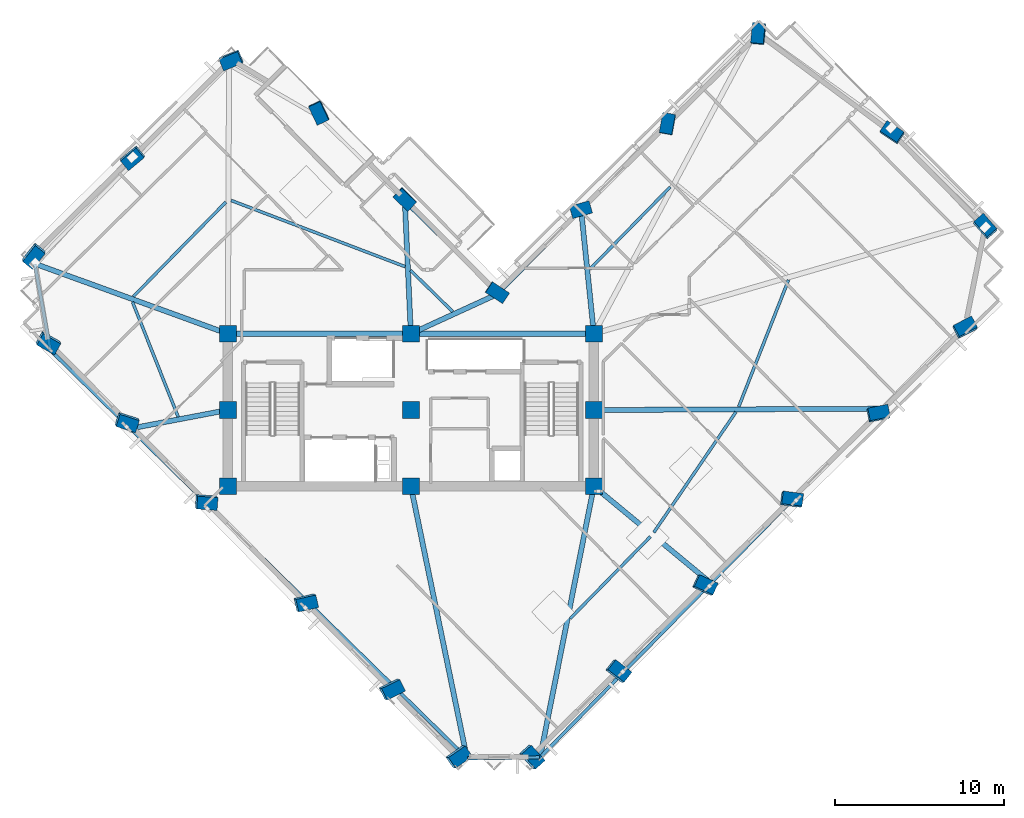
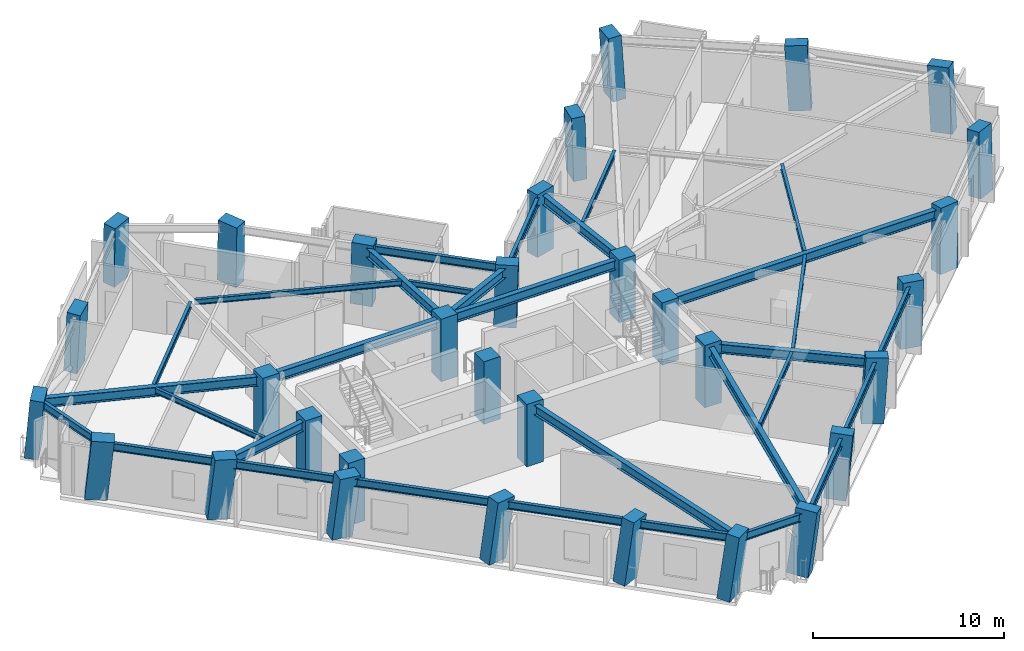
# One storey, part 1 of 11: 32 columns, 31 beams.
"""IFC4 building model written with IfcOpenShell, lengths in metres."""

import ifcopenshell
import ifcopenshell.guid

model = None  # the IFC model being written
_history = None  # IfcOwnerHistory: only IFC2X3 demands one
_inside = {}  # id of a spatial element -> (the spatial element, [elements in it])
_under = {}  # id of a project, library or spatial element -> (it, [spatial elements below it])
_declared = {}  # id of a project -> (the project, [libraries it declares])
_typed = {}  # id of a type object -> (the type object, [elements of that type])
_made_of = {}  # id of a material, layer set ... -> (it, [elements and type objects made of it])


def new_model(schema):
    """Start an empty IFC model of exactly this schema.

    Asked for "IFC4X3", IfcOpenShell would pick the latest addendum, in which some entities
    have other attributes; the version numbers below select the first issue.
    IFC2X3 requires an IfcOwnerHistory on every rooted entity: one is made here for all.
    """
    global model, _history
    if schema == "IFC4X3":
        model = ifcopenshell.file(schema_version=(4, 3, 0, 0))
    else:
        model = ifcopenshell.file(schema=schema)
    _inside.clear()
    _under.clear()
    _declared.clear()
    _typed.clear()
    _made_of.clear()
    _history = None
    if model.schema == "IFC2X3":
        org = make("IfcOrganization", Name="unknown")
        user = make(
            "IfcPersonAndOrganization",
            ThePerson=make("IfcPerson", FamilyName="unknown"),
            TheOrganization=org,
        )
        app = make(
            "IfcApplication",
            ApplicationDeveloper=org,
            Version="unknown",
            ApplicationFullName="unknown",
            ApplicationIdentifier="unknown",
        )
        _history = make(
            "IfcOwnerHistory",
            OwningUser=user,
            OwningApplication=app,
            ChangeAction="ADDED",
            CreationDate=0,
        )
    return model


def make(cls, **values):
    """One entity of the class cls with the attributes given. An attribute that is None is left unset."""
    return model.create_entity(
        cls, **{name: value for name, value in values.items() if value is not None}
    )


def rooted(cls, **values):
    """An entity with a GlobalId (a new one), such as an element, a storey or a relation."""
    return make(cls, GlobalId=ifcopenshell.guid.new(), OwnerHistory=_history, **values)


def si_unit(unit_type, name, prefix=None):
    """IfcSIUnit, for example si_unit("LENGTHUNIT", "METRE", prefix="MILLI")."""
    return make("IfcSIUnit", UnitType=unit_type, Prefix=prefix, Name=name)


def assignment(units):
    """IfcUnitAssignment: the units of a project."""
    return None if units is None else make("IfcUnitAssignment", Units=units)


def point(xyz):
    """IfcCartesianPoint."""
    return None if xyz is None else make("IfcCartesianPoint", Coordinates=xyz)


def direction(xyz):
    """IfcDirection."""
    return None if xyz is None else make("IfcDirection", DirectionRatios=xyz)


def frame(location, z_axis=None, x_axis=None):
    """IfcAxis2Placement3D, a coordinate frame: its origin and axes. An axis left out is left unset."""
    return make(
        "IfcAxis2Placement3D",
        Location=point(location),
        Axis=direction(z_axis),
        RefDirection=direction(x_axis),
    )


def frame_2d(location, x_axis=None):
    """IfcAxis2Placement2D, a coordinate frame in the plane: its origin and x axis."""
    return make(
        "IfcAxis2Placement2D", Location=point(location), RefDirection=direction(x_axis)
    )


def origin():
    """The frame at (0, 0, 0) with its axes left unset."""
    return frame((0.0, 0.0, 0.0))


def origin_2d():
    """The frame at (0, 0) in the plane with its x axis left unset."""
    return frame_2d((0.0, 0.0))


def place(relative_to, where):
    """IfcLocalPlacement: puts the frame where relative to a parent placement (None: the world)."""
    return make(
        "IfcLocalPlacement", PlacementRelTo=relative_to, RelativePlacement=where
    )


def context(
    kind, dimensions, precision=None, world=None, true_north=None, identifier=None
):
    """IfcGeometricRepresentationContext, for example the 3D "Model" context."""
    return make(
        "IfcGeometricRepresentationContext",
        ContextIdentifier=identifier,
        ContextType=kind,
        CoordinateSpaceDimension=dimensions,
        Precision=precision,
        WorldCoordinateSystem=world,
        TrueNorth=true_north,
    )


def subcontext(parent, identifier, kind, view, scale=None):
    """IfcGeometricRepresentationSubContext, for example "Body" below "Model"."""
    return make(
        "IfcGeometricRepresentationSubContext",
        ContextIdentifier=identifier,
        ContextType=kind,
        ParentContext=parent,
        TargetScale=scale,
        TargetView=view,
    )


def project(units=None, contexts=None):
    """IfcProject with its units and contexts."""
    return rooted(
        "IfcProject",
        Name="project",
        RepresentationContexts=contexts,
        UnitsInContext=assignment(units),
    )


def spatial(cls, under=None, at=None, **own):
    """A site, building, storey or space (cls), placed at a placement, below another one or the project."""
    s = rooted(cls, ObjectPlacement=at, **own)
    if under is not None:
        _under.setdefault(under.id(), (under, []))[1].append(s)
    return s


def profile(cls, at=None, kind="AREA", **sizes):
    """A parametric profile (cls). Its sizes go by their IFC names, for example OverallWidth=200.0."""
    return make(cls, ProfileType=kind, Position=at, **sizes)


def rectangle(**sizes):
    """IfcRectangleProfileDef."""
    return profile("IfcRectangleProfileDef", **sizes)


def i_section(**sizes):
    """IfcIShapeProfileDef."""
    return profile("IfcIShapeProfileDef", **sizes)


def extrude(swept, where, along, depth):
    """IfcExtrudedAreaSolid: the profile swept, set in the frame where, extruded along a direction by depth."""
    return make(
        "IfcExtrudedAreaSolid",
        SweptArea=swept,
        Position=where,
        ExtrudedDirection=direction(along),
        Depth=depth,
    )


def shape(context_of_items, identifier, shape_type, items):
    """IfcShapeRepresentation: the items that make up one representation, for example the "Body"."""
    return make(
        "IfcShapeRepresentation",
        ContextOfItems=context_of_items,
        RepresentationIdentifier=identifier,
        RepresentationType=shape_type,
        Items=items,
    )


def material(Name=None, Category=None):
    """IfcMaterial."""
    return make("IfcMaterial", Name=Name, Category=Category)


def material_profile(
    of_material, cross_section, Name=None, Category=None, Priority=None
):
    """IfcMaterialProfile: a cross section and its material."""
    return make(
        "IfcMaterialProfile",
        Name=Name,
        Material=of_material,
        Profile=cross_section,
        Priority=Priority,
        Category=Category,
    )


def profile_set(profiles, Name=None, composite=None):
    """IfcMaterialProfileSet."""
    return make(
        "IfcMaterialProfileSet",
        Name=Name,
        MaterialProfiles=profiles,
        CompositeProfile=composite,
    )


def made_of(thing, what):
    """Note that an element or type object is made of a material, layer set ...; save() writes the relation."""
    if what is not None:
        _made_of.setdefault(what.id(), (what, []))[1].append(thing)
    return thing


def type_object(cls, material=None, **own):
    """A type object (cls), such as IfcWallType, which elements share."""
    return made_of(rooted(cls, **own), material)


def element(
    cls,
    number,
    at=None,
    inside=None,
    cuts=None,
    type_object=None,
    material=None,
    context=None,
    identifier="Body",
    shape_type=None,
    held_by="IfcProductDefinitionShape",
    body=None,
    shapes=None,
    **own,
):
    """One element of the class cls, such as IfcWall. Its Tag is "e" and its number.

    at: its placement. inside: the storey or other place that contains it. cuts: it is an
    opening in that element (IfcRelVoidsElement). A single representation is given by context,
    identifier, shape_type and body (its items); several are given by shapes. held_by: the class
    of the entity that holds the representations. save() writes the other relations.
    """
    e = rooted(cls, Tag="e%d" % number, ObjectPlacement=at, **own)
    if body is not None:
        shapes = [shape(context, identifier, shape_type, body)]
    if shapes is not None:
        e.Representation = make(held_by, Representations=shapes)
    if inside is not None:
        _inside.setdefault(inside.id(), (inside, []))[1].append(e)
    if cuts is not None:
        rooted(
            "IfcRelVoidsElement", RelatingBuildingElement=cuts, RelatedOpeningElement=e
        )
    if type_object is not None:
        _typed.setdefault(type_object.id(), (type_object, []))[1].append(e)
    return made_of(e, material)


def aggregate(whole, parts):
    """IfcRelAggregates: a whole, such as a stair, and the parts it consists of."""
    return rooted("IfcRelAggregates", RelatingObject=whole, RelatedObjects=parts)


def save(model, path):
    """Write the relations noted so far, then the file.

    IfcRelAggregates (storeys below a building ...), IfcRelContainedInSpatialStructure (elements
    in a storey), IfcRelDefinesByType, IfcRelAssociatesMaterial and IfcRelDeclares: one each for
    every whole, place, type object, material and project.
    """
    for whole, parts in _under.values():
        aggregate(whole, parts)
    for where, things in _inside.values():
        rooted(
            "IfcRelContainedInSpatialStructure",
            RelatedElements=things,
            RelatingStructure=where,
        )
    for kind, things in _typed.values():
        rooted("IfcRelDefinesByType", RelatedObjects=things, RelatingType=kind)
    for what, things in _made_of.values():
        rooted("IfcRelAssociatesMaterial", RelatedObjects=things, RelatingMaterial=what)
    for by, libraries in _declared.values():
        rooted("IfcRelDeclares", RelatingContext=by, RelatedDefinitions=libraries)
    model.write(path)


model = new_model("IFC4")

# Units and contexts
model_context = context("Model", 3, precision=1e-05, world=origin(), true_north=direction((0.0, 1.0)))
body_context = subcontext(model_context, "Body", "Model", "MODEL_VIEW")
ifc_project = project(units=[si_unit("LENGTHUNIT", "METRE"), si_unit("AREAUNIT", "SQUARE_METRE"), si_unit("VOLUMEUNIT", "CUBIC_METRE"), si_unit("PLANEANGLEUNIT", "RADIAN"), si_unit("MASSUNIT", "GRAM", prefix="KILO")], contexts=[model_context])

# Site, building, storey
site_placement = place(None, origin())
site = spatial("IfcSite", under=ifc_project, at=site_placement, CompositionType="ELEMENT")
building_placement = place(site_placement, origin())
building = spatial("IfcBuilding", under=site, at=building_placement, Name="Gaonmaruhae Medical Tower", CompositionType="ELEMENT")
storey_placement = place(building_placement, frame((0.0, 0.0, 215.199951171875)))
storey = spatial("IfcBuildingStorey", under=building, at=storey_placement, Name="L51", CompositionType="ELEMENT", Elevation=215.199951171875)

# Columns
ifc_material_1 = material(Name="Concrete C50/60", Category="concrete")
ifc_material_profile_1 = material_profile(ifc_material_1, rectangle(XDim=1.0, YDim=1.0, at=origin_2d()), Name="RC-1000x1000")
ifc_profile_set_1 = profile_set([ifc_material_profile_1], Name="Concrete C50/60")
column_type_1 = type_object("IfcColumnType", Name="CC-05 Zone 4 Core Column (RC-1000x1000)", PredefinedType="COLUMN", material=ifc_profile_set_1)
for number, where, z_axis, x_axis, name in (
    (1, (14.0, 7.800048828125, 0.0), (0.0, 0.0, 1.0), (1.0, 0.0, 0.0), "L51 Plumb Core Column CC11"),
    (2, (14.0, 12.300048828125, 0.0), (0.0, 0.0, 1.0), (1.0, 0.0, 0.0), "L51 Plumb Core Column CC12"),
    (3, (14.0, 16.800048828125, 0.0), (0.0, 0.0, 1.0), (1.0, 0.0, 0.0), "L51 Plumb Core Column CC13"),
    (4, (24.800048828125, 7.800048828125, 0.0), (0.0, 0.0, 1.0), (1.0, 0.0, 0.0), "L51 Plumb Core Column CC21"),
    (5, (24.800048828125, 12.300048828125, 0.0), (0.0, 0.0, 1.0), (1.0, 0.0, 0.0), "L51 Plumb Core Column CC22"),
    (6, (24.800048828125, 16.800048828125, 0.0), (0.0, 0.0, 1.0), (1.0, 0.0, 0.0), "L51 Plumb Core Column CC23"),
    (7, (35.60009765625, 7.800048828125, 0.0), (0.0, 0.0, 1.0), (1.0, 0.0, 0.0), "L51 Plumb Core Column CC31"),
    (8, (35.60009765625, 12.300048828125, 0.0), (0.0, 0.0, 1.0), (1.0, 0.0, 0.0), "L51 Plumb Core Column CC32"),
    (9, (35.60009765625, 16.800048828125, 0.0), (0.0, 0.0, 1.0), (1.0, 0.0, 0.0), "L51 Plumb Core Column CC33"),
):
    element("IfcColumn", number, at=place(storey_placement, frame(where, z_axis=z_axis, x_axis=x_axis)), inside=storey, type_object=column_type_1, Name=name, PredefinedType="COLUMN", context=body_context, shape_type="SweptSolid", body=[
        extrude(rectangle(XDim=1.0, YDim=1.0, at=origin_2d()), origin(), (0.0, 0.0, 1.0), 4.0),
    ])
ifc_material_profile_2 = material_profile(ifc_material_1, rectangle(XDim=1.199951171875, YDim=0.75, at=origin_2d()), Name="RC-1200x750")
ifc_profile_set_2 = profile_set([ifc_material_profile_2], Name="Concrete C50/60")
column_type_2 = type_object("IfcColumnType", Name="TC-03 Upper Raking Tube Pier Column (RC-1200x750)", PredefinedType="COLUMN", material=ifc_profile_set_2)
column_1_placement = place(storey_placement, frame((31.87841796875, -8.1767578125, 0.001953125), z_axis=(0.135518663797, -0.005931589572, 0.990757037829), x_axis=(-0.66450399485, 0.741179191724, 0.095330197645)))
element("IfcColumn", 10, at=column_1_placement, inside=storey, type_object=column_type_2, Name="L51 Perimeter Tube Column S01", PredefinedType="COLUMN", context=body_context, shape_type="SweptSolid", body=[
    extrude(rectangle(XDim=1.199951171875, YDim=0.75, at=origin_2d()), origin(), (0.0, 0.0, 1.0), 4.03369140625),
])
column_2_placement = place(storey_placement, frame((37.000732421875, -3.11669921875, 0.001953125), z_axis=(0.114807001682, 0.014988017661, 0.993274741293), x_axis=(-0.784267566704, 0.615063920151, 0.081368040071)))
element("IfcColumn", 11, at=column_2_placement, inside=storey, type_object=column_type_2, Name="L51 Perimeter Tube Column S02", PredefinedType="COLUMN", context=body_context, shape_type="SweptSolid", body=[
    extrude(rectangle(XDim=1.199951171875, YDim=0.75, at=origin_2d()), origin(), (0.0, 0.0, 1.0), 4.0234375),
])
column_3_placement = place(storey_placement, frame((42.122802734375, 1.943359375, 0.001953125), z_axis=(0.093967690131, 0.035921671971, 0.99492698561), x_axis=(-0.907142120506, 0.414843158757, 0.07069884608)))
element("IfcColumn", 12, at=column_3_placement, inside=storey, type_object=column_type_2, Name="L51 Perimeter Tube Column S03", PredefinedType="COLUMN", context=body_context, shape_type="SweptSolid", body=[
    extrude(rectangle(XDim=1.199951171875, YDim=0.75, at=origin_2d()), origin(), (0.0, 0.0, 1.0), 4.0166015625),
])
column_4_placement = place(storey_placement, frame((47.244873046875, 7.00341796875, 0.001953125), z_axis=(0.072994502566, 0.056935712002, 0.995705843758), x_axis=(-0.989301110701, 0.130578425032, 0.065058337529)))
element("IfcColumn", 13, at=column_4_placement, inside=storey, type_object=column_type_2, Name="L51 Perimeter Tube Column S04", PredefinedType="COLUMN", context=body_context, shape_type="SweptSolid", body=[
    extrude(rectangle(XDim=1.199951171875, YDim=0.75, at=origin_2d()), origin(), (0.0, 0.0, 1.0), 4.013671875),
])
column_5_placement = place(storey_placement, frame((52.366943359375, 12.0634765625, 0.001953125), z_axis=(0.051942793998, 0.077853368054, 0.995610766934), x_axis=(-0.980116876349, -0.187202601198, 0.065773055283)))
element("IfcColumn", 14, at=column_5_placement, inside=storey, type_object=column_type_2, Name="L51 Perimeter Tube Column S05", PredefinedType="COLUMN", context=body_context, shape_type="SweptSolid", body=[
    extrude(rectangle(XDim=1.199951171875, YDim=0.75, at=origin_2d()), origin(), (0.0, 0.0, 1.0), 4.013916015625),
])
column_6_placement = place(storey_placement, frame((57.4892578125, 17.12353515625, 0.001953125), z_axis=(0.030807048022, 0.098740538532, 0.994636230912), x_axis=(-0.887317717969, -0.455393496583, 0.072691338198)))
element("IfcColumn", 15, at=column_6_placement, inside=storey, type_object=column_type_2, Name="L51 Perimeter Tube Column S06", PredefinedType="COLUMN", context=body_context, shape_type="SweptSolid", body=[
    extrude(rectangle(XDim=1.199951171875, YDim=0.75, at=origin_2d()), origin(), (0.0, 0.0, 1.0), 4.017822265625),
])
column_7_placement = place(storey_placement, frame((58.6923828125, 23.09130859375, 0.001953125), z_axis=(0.006197719609, 0.103477612679, 0.994612473251), x_axis=(0.659212769756, -0.74833138919, 0.073747244992)))
element("IfcColumn", 16, at=column_7_placement, inside=storey, type_object=column_type_2, Name="L51 Perimeter Tube Column E01", PredefinedType="COLUMN", context=body_context, shape_type="SweptSolid", body=[
    extrude(rectangle(XDim=1.199951171875, YDim=0.75, at=origin_2d()), origin(), (0.0, 0.0, 1.0), 4.01806640625),
])
column_8_placement = place(storey_placement, frame((53.210693359375, 28.64013671875, 0.001953125), z_axis=(-0.016560006335, 0.080912678011, 0.996583616526), x_axis=(0.830659383992, -0.553672081187, 0.05875554697)))
element("IfcColumn", 17, at=column_8_placement, inside=storey, type_object=column_type_2, Name="L51 Perimeter Tube Column E02", PredefinedType="COLUMN", context=body_context, shape_type="SweptSolid", body=[
    extrude(rectangle(XDim=1.199951171875, YDim=0.75, at=origin_2d()), origin(), (0.0, 0.0, 1.0), 4.010009765625),
])
column_9_placement = place(storey_placement, frame((45.32666015625, 34.48681640625, 0.001953125), z_axis=(-0.040484105469, 0.048166330302, 0.998018557858), x_axis=(-0.093314100601, -0.994654303184, 0.044218726661)))
element("IfcColumn", 18, at=column_9_placement, inside=storey, type_object=column_type_2, Name="L51 Perimeter Tube Column E03", PredefinedType="COLUMN", context=body_context, shape_type="SweptSolid", body=[
    extrude(rectangle(XDim=1.199951171875, YDim=0.75, at=origin_2d()), origin(), (0.0, 0.0, 1.0), 4.004150390625),
])
column_10_placement = place(storey_placement, frame((39.95556640625, 29.1806640625, 0.001953125), z_axis=(-0.018379000331, 0.026194654957, 0.999487895074), x_axis=(-0.178927925316, -0.983605143605, 0.022488197268)))
element("IfcColumn", 19, at=column_10_placement, inside=storey, type_object=column_type_2, Name="L51 Perimeter Tube Column EN01", PredefinedType="COLUMN", context=body_context, shape_type="SweptSolid", body=[
    extrude(rectangle(XDim=1.199951171875, YDim=0.75, at=origin_2d()), origin(), (0.0, 0.0, 1.0), 3.998291015625),
])
column_11_placement = place(storey_placement, frame((34.833251953125, 24.12060546875, 0.001953125), z_axis=(0.002810141897, 0.005131563464, 0.999982884933), x_axis=(-0.961524635642, -0.274687948817, 0.004111669677)))
element("IfcColumn", 20, at=column_11_placement, inside=storey, type_object=column_type_2, Name="L51 Perimeter Tube Column EN02", PredefinedType="COLUMN", context=body_context, shape_type="SweptSolid", body=[
    extrude(rectangle(XDim=1.199951171875, YDim=0.75, at=origin_2d()), origin(), (0.0, 0.0, 1.0), 3.996337890625),
])
column_12_placement = place(storey_placement, frame((29.888916015625, 19.236328125, 0.001953125), z_axis=(0.023205698391, -0.015144771581, 0.999615991997), x_axis=(-0.83375940471, 0.551432149195, 0.027709924051)))
element("IfcColumn", 21, at=column_12_placement, inside=storey, type_object=column_type_2, Name="L51 Perimeter Tube Column KN01", PredefinedType="COLUMN", context=body_context, shape_type="SweptSolid", body=[
    extrude(rectangle(XDim=1.199951171875, YDim=0.75, at=origin_2d()), origin(), (0.0, 0.0, 1.0), 3.997802734375),
])
column_13_placement = place(storey_placement, frame((24.4423828125, 24.749755859375, 0.001953125), z_axis=(0.000549424458, -0.037910287634, 0.999280995628), x_axis=(-0.713002190579, 0.700642811583, 0.026972704851)))
element("IfcColumn", 22, at=column_13_placement, inside=storey, type_object=column_type_2, Name="L51 Perimeter Tube Column NE01", PredefinedType="COLUMN", context=body_context, shape_type="SweptSolid", body=[
    extrude(rectangle(XDim=1.199951171875, YDim=0.75, at=origin_2d()), origin(), (0.0, 0.0, 1.0), 3.999267578125),
])
column_14_placement = place(storey_placement, frame((19.382568359375, 29.871826171875, 0.001953125), z_axis=(-0.020547526902, -0.058959817551, 0.998048866064), x_axis=(-0.429967743236, 0.90175090549, 0.044418962437)))
element("IfcColumn", 23, at=column_14_placement, inside=storey, type_object=column_type_2, Name="L51 Perimeter Tube Column NE02", PredefinedType="COLUMN", context=body_context, shape_type="SweptSolid", body=[
    extrude(rectangle(XDim=1.199951171875, YDim=0.75, at=origin_2d()), origin(), (0.0, 0.0, 1.0), 4.004150390625),
])
column_15_placement = place(storey_placement, frame((14.2041015625, 32.9794921875, 0.001953125), z_axis=(-0.033107696908, -0.080395712528, 0.996213034352), x_axis=(0.92441018142, 0.376473371108, 0.061103333247)))
element("IfcColumn", 24, at=column_15_placement, inside=storey, type_object=column_type_2, Name="L51 Perimeter Tube Column N01", PredefinedType="COLUMN", context=body_context, shape_type="SweptSolid", body=[
    extrude(rectangle(XDim=1.199951171875, YDim=0.75, at=origin_2d()), origin(), (0.0, 0.0, 1.0), 4.011474609375),
])
column_16_placement = place(storey_placement, frame((8.37060546875, 27.216796875, 0.001953125), z_axis=(-0.009113457738, -0.104136443749, 0.994521264716), x_axis=(0.769637431424, 0.634240685776, 0.073464118158)))
element("IfcColumn", 25, at=column_16_placement, inside=storey, type_object=column_type_2, Name="L51 Perimeter Tube Column N02", PredefinedType="COLUMN", context=body_context, shape_type="SweptSolid", body=[
    extrude(rectangle(XDim=1.199951171875, YDim=0.75, at=origin_2d()), origin(), (0.0, 0.0, 1.0), 4.018310546875),
])
column_17_placement = place(storey_placement, frame((2.537109375, 21.453857421875, 0.001953125), z_axis=(0.014782864541, -0.127532499424, 0.991724219986), x_axis=(0.626431108804, 0.77423718396, 0.090226652922)))
element("IfcColumn", 26, at=column_17_placement, inside=storey, type_object=column_type_2, Name="L51 Perimeter Tube Column N03", PredefinedType="COLUMN", context=body_context, shape_type="SweptSolid", body=[
    extrude(rectangle(XDim=1.199951171875, YDim=0.75, at=origin_2d()), origin(), (0.0, 0.0, 1.0), 4.02978515625),
])
column_18_placement = place(storey_placement, frame((3.3896484375, 16.322021484375, 0.001953125), z_axis=(0.035863862528, -0.123887835929, 0.991647915075), x_axis=(-0.871227434349, 0.482228099616, 0.091754114781)))
element("IfcColumn", 27, at=column_18_placement, inside=storey, type_object=column_type_2, Name="L51 Perimeter Tube Column W01", PredefinedType="COLUMN", context=body_context, shape_type="SweptSolid", body=[
    extrude(rectangle(XDim=1.199951171875, YDim=0.75, at=origin_2d()), origin(), (0.0, 0.0, 1.0), 4.030029296875),
])
column_19_placement = place(storey_placement, frame((8.028076171875, 11.626708984375, 0.001953125), z_axis=(0.055080788667, -0.104762689458, 0.992970737543), x_axis=(-0.950778623185, 0.298211129608, 0.084202920807)))
element("IfcColumn", 28, at=column_19_placement, inside=storey, type_object=column_type_2, Name="L51 Perimeter Tube Column W02", PredefinedType="COLUMN", context=body_context, shape_type="SweptSolid", body=[
    extrude(rectangle(XDim=1.199951171875, YDim=0.75, at=origin_2d()), origin(), (0.0, 0.0, 1.0), 4.024658203125),
])
column_20_placement = place(storey_placement, frame((12.701416015625, 6.89599609375, 0.001953125), z_axis=(0.074475583784, -0.085461794595, 0.993554059468), x_axis=(-0.994199115032, 0.071165005168, 0.080645283244)))
element("IfcColumn", 29, at=column_20_placement, inside=storey, type_object=column_type_2, Name="L51 Perimeter Tube Column W03", PredefinedType="COLUMN", context=body_context, shape_type="SweptSolid", body=[
    extrude(rectangle(XDim=1.199951171875, YDim=0.75, at=origin_2d()), origin(), (0.0, 0.0, 1.0), 4.022216796875),
])
column_21_placement = place(storey_placement, frame((18.569580078125, 0.955810546875, 0.001953125), z_axis=(0.098723013032, -0.061102688459, 0.993237246664), x_axis=(-0.970688299201, -0.225703342206, 0.082596774219)))
element("IfcColumn", 30, at=column_21_placement, inside=storey, type_object=column_type_2, Name="L51 Perimeter Tube Column W04", PredefinedType="COLUMN", context=body_context, shape_type="SweptSolid", body=[
    extrude(rectangle(XDim=1.199951171875, YDim=0.75, at=origin_2d()), origin(), (0.0, 0.0, 1.0), 4.0234375),
])
column_22_placement = place(storey_placement, frame((23.629638671875, -4.16650390625, 0.001953125), z_axis=(0.119451342139, -0.039998927353, 0.99203400278), x_axis=(-0.89237252829, -0.442312185139, 0.08961697178)))
element("IfcColumn", 31, at=column_22_placement, inside=storey, type_object=column_type_2, Name="L51 Perimeter Tube Column W05", PredefinedType="COLUMN", context=body_context, shape_type="SweptSolid", body=[
    extrude(rectangle(XDim=1.199951171875, YDim=0.75, at=origin_2d()), origin(), (0.0, 0.0, 1.0), 4.0283203125),
])
column_23_placement = place(storey_placement, frame((27.565185546875, -8.150390625, 0.001953125), z_axis=(0.135483111743, -0.023659623355, 0.990497121982), x_axis=(-0.815044548656, -0.571077151523, 0.097843092321)))
element("IfcColumn", 32, at=column_23_placement, inside=storey, type_object=column_type_2, Name="L51 Perimeter Tube Column W06", PredefinedType="COLUMN", context=body_context, shape_type="SweptSolid", body=[
    extrude(rectangle(XDim=1.199951171875, YDim=0.75, at=origin_2d()), origin(), (0.0, 0.0, 1.0), 4.03466796875),
])

# Beams
ifc_material_2 = material(Name="Steel SM355", Category="steel")
ifc_material_profile_3 = material_profile(ifc_material_2, i_section(OverallWidth=0.175048828125, OverallDepth=0.35009765625, WebThickness=0.007080078125, FlangeThickness=0.010986328125, FilletRadius=0.012939453125, at=origin_2d()), Name="H-350x175x7x11")
ifc_profile_set_3 = profile_set([ifc_material_profile_3], Name="Steel SM355")
beam_type_1 = type_object("IfcBeamType", Name="FJ-02 Upper Zone Ward Floor Joist (H-350x175x7x11)", PredefinedType="JOIST", material=ifc_profile_set_3)
beam_1_placement = place(storey_placement, frame((34.20849609375, -0.000244140625, 3.60498046875), z_axis=(0.699668174907, 0.714467945413, 0.0), x_axis=(-0.714467945413, 0.699668174907, 0.0)))
element("IfcBeam", 33, at=beam_1_placement, inside=storey, type_object=beam_type_1, Name="L51 Secondary Floor Joist FJ01", PredefinedType="JOIST", context=body_context, shape_type="SweptSolid", body=[
    extrude(i_section(OverallWidth=0.175048828125, OverallDepth=0.35009765625, WebThickness=0.007080078125, FlangeThickness=0.010986328125, FilletRadius=0.012939453125, at=origin_2d()), origin(), (0.0, 0.0, 1.0), 6.763427734375),
])
beam_2_placement = place(storey_placement, frame((39.138427734375, 5.073486328125, 3.60498046875), z_axis=(0.563048818286, 0.826423637263, 0.0), x_axis=(-0.826423637263, 0.563048818286, 0.0)))
element("IfcBeam", 34, at=beam_2_placement, inside=storey, type_object=beam_type_1, Name="L51 Secondary Floor Joist FJ02", PredefinedType="JOIST", context=body_context, shape_type="SweptSolid", body=[
    extrude(i_section(OverallWidth=0.175048828125, OverallDepth=0.35009765625, WebThickness=0.007080078125, FlangeThickness=0.010986328125, FilletRadius=0.012939453125, at=origin_2d()), origin(), (0.0, 0.0, 1.0), 8.602294921875),
])
beam_3_placement = place(storey_placement, frame((44.14892578125, 12.493896484375, 3.60498046875), z_axis=(0.365709721237, 0.93072896151, 0.0), x_axis=(-0.93072896151, 0.365709721237, 0.0)))
element("IfcBeam", 35, at=beam_3_placement, inside=storey, type_object=beam_type_1, Name="L51 Secondary Floor Joist FJ03", PredefinedType="JOIST", context=body_context, shape_type="SweptSolid", body=[
    extrude(i_section(OverallWidth=0.175048828125, OverallDepth=0.35009765625, WebThickness=0.007080078125, FlangeThickness=0.010986328125, FilletRadius=0.012939453125, at=origin_2d()), origin(), (0.0, 0.0, 1.0), 8.034423828125),
])
beam_4_placement = place(storey_placement, frame((40.101806640625, 25.45361328125, 3.60498046875), z_axis=(-0.699660828285, -0.71447513978, 0.0), x_axis=(0.71447513978, -0.699660828285, 0.0)))
element("IfcBeam", 36, at=beam_4_placement, inside=storey, type_object=beam_type_1, Name="L51 Secondary Floor Joist FJ05", PredefinedType="JOIST", context=body_context, shape_type="SweptSolid", body=[
    extrude(i_section(OverallWidth=0.175048828125, OverallDepth=0.35009765625, WebThickness=0.007080078125, FlangeThickness=0.010986328125, FilletRadius=0.012939453125, at=origin_2d()), origin(), (0.0, 0.0, 1.0), 6.773193359375),
])
beam_5_placement = place(storey_placement, frame((27.271728515625, 18.1044921875, 3.60498046875), z_axis=(-0.714464427168, 0.699671767553, 0.0), x_axis=(-0.699671767553, -0.714464427168, 0.0)))
element("IfcBeam", 37, at=beam_5_placement, inside=storey, type_object=beam_type_1, Name="L51 Secondary Floor Joist FJ07", PredefinedType="JOIST", context=body_context, shape_type="SweptSolid", body=[
    extrude(i_section(OverallWidth=0.175048828125, OverallDepth=0.35009765625, WebThickness=0.007080078125, FlangeThickness=0.010986328125, FilletRadius=0.012939453125, at=origin_2d()), origin(), (0.0, 0.0, 1.0), 3.482421875),
])
beam_6_placement = place(storey_placement, frame((24.4638671875, 20.75927734375, 3.60498046875), z_axis=(-0.93458903142, 0.3557293105, 0.0), x_axis=(-0.3557293105, -0.93458903142, 0.0)))
element("IfcBeam", 38, at=beam_6_placement, inside=storey, type_object=beam_type_1, Name="L51 Secondary Floor Joist FJ08", PredefinedType="JOIST", context=body_context, shape_type="SweptSolid", body=[
    extrude(i_section(OverallWidth=0.175048828125, OverallDepth=0.35009765625, WebThickness=0.007080078125, FlangeThickness=0.010986328125, FilletRadius=0.012939453125, at=origin_2d()), origin(), (0.0, 0.0, 1.0), 10.991943359375),
])
beam_7_placement = place(storey_placement, frame((13.880615234375, 24.5703125, 3.60498046875), z_axis=(-0.6996570523, -0.714478837452, 0.0), x_axis=(0.714478837452, -0.6996570523, 0.0)))
element("IfcBeam", 39, at=beam_7_placement, inside=storey, type_object=beam_type_1, Name="L51 Secondary Floor Joist FJ09", PredefinedType="JOIST", context=body_context, shape_type="SweptSolid", body=[
    extrude(i_section(OverallWidth=0.175048828125, OverallDepth=0.35009765625, WebThickness=0.007080078125, FlangeThickness=0.010986328125, FilletRadius=0.012939453125, at=origin_2d()), origin(), (0.0, 0.0, 1.0), 7.8076171875),
])
beam_8_placement = place(storey_placement, frame((8.37451171875, 18.677734375, 3.60498046875), z_axis=(0.369115447158, -0.929383551968, 0.0), x_axis=(0.929383551968, 0.369115447158, 0.0)))
element("IfcBeam", 40, at=beam_8_placement, inside=storey, type_object=beam_type_1, Name="L51 Secondary Floor Joist FJ10", PredefinedType="JOIST", context=body_context, shape_type="SweptSolid", body=[
    extrude(i_section(OverallWidth=0.175048828125, OverallDepth=0.35009765625, WebThickness=0.007080078125, FlangeThickness=0.010986328125, FilletRadius=0.012939453125, at=origin_2d()), origin(), (0.0, 0.0, 1.0), 7.292724609375),
])
ifc_material_3 = material(Name="Steel SM420", Category="steel")
ifc_material_profile_4 = material_profile(ifc_material_3, i_section(OverallWidth=0.300048828125, OverallDepth=0.60009765625, WebThickness=0.011962890625, FlangeThickness=0.02001953125, FilletRadius=0.012939453125, at=origin_2d()), Name="H-600x300x12x20")
ifc_profile_set_4 = profile_set([ifc_material_profile_4], Name="Steel SM420")
beam_type_2 = type_object("IfcBeamType", Name="PG-04 Zone 4 Radial Floor Girder (H-600x300x12x20)", PredefinedType="BEAM", material=ifc_profile_set_4)
for number, where, z_axis, x_axis, name in (
    (41, (14.050048828125, 16.800048828125, 3.47998046875), (1.0, 0.0, 0.0), (0.0, 1.0, 0.0), "L51 Beam BM-L51-CG-N1"),
    (42, (24.85009765625, 16.800048828125, 3.47998046875), (1.0, 0.0, 0.0), (0.0, 1.0, 0.0), "L51 Beam BM-L51-CG-N2"),
):
    element("IfcBeam", number, at=place(storey_placement, frame(where, z_axis=z_axis, x_axis=x_axis)), inside=storey, type_object=beam_type_2, Name=name, PredefinedType="BEAM", context=body_context, shape_type="SweptSolid", body=[
        extrude(i_section(OverallWidth=0.300048828125, OverallDepth=0.60009765625, WebThickness=0.011962890625, FlangeThickness=0.02001953125, FilletRadius=0.012939453125, at=origin_2d()), origin(), (0.0, 0.0, 1.0), 10.699951171875),
    ])
beam_9_placement = place(storey_placement, frame((35.59033203125, 7.7509765625, 3.47998046875), z_axis=(-0.194618723602, -0.980878969304, 0.0), x_axis=(0.980878969304, -0.194618723602, 0.0)))
element("IfcBeam", 43, at=beam_9_placement, inside=storey, type_object=beam_type_2, Name="L51 Radial Primary Girder S01", PredefinedType="BEAM", context=body_context, shape_type="SweptSolid", body=[
    extrude(i_section(OverallWidth=0.300048828125, OverallDepth=0.60009765625, WebThickness=0.011962890625, FlangeThickness=0.02001953125, FilletRadius=0.012939453125, at=origin_2d()), origin(), (0.0, 0.0, 1.0), 16.212646484375),
])
beam_10_placement = place(storey_placement, frame((35.638427734375, 7.76806640625, 3.47998046875), z_axis=(0.770315890526, -0.637662472475, 0.0), x_axis=(0.637662472475, 0.770315890526, 0.0)))
element("IfcBeam", 44, at=beam_10_placement, inside=storey, type_object=beam_type_2, Name="L51 Radial Primary Girder S03", PredefinedType="BEAM", context=body_context, shape_type="SweptSolid", body=[
    extrude(i_section(OverallWidth=0.300048828125, OverallDepth=0.60009765625, WebThickness=0.011962890625, FlangeThickness=0.02001953125, FilletRadius=0.012939453125, at=origin_2d()), origin(), (0.0, 0.0, 1.0), 8.858154296875),
])
beam_11_placement = place(storey_placement, frame((35.64990234375, 12.30029296875, 3.47998046875), z_axis=(0.99998994362, 0.004484713952, 0.0), x_axis=(-0.004484713952, 0.99998994362, 0.0)))
element("IfcBeam", 45, at=beam_11_placement, inside=storey, type_object=beam_type_2, Name="L51 Radial Primary Girder S05", PredefinedType="BEAM", context=body_context, shape_type="SweptSolid", body=[
    extrude(i_section(OverallWidth=0.300048828125, OverallDepth=0.60009765625, WebThickness=0.011962890625, FlangeThickness=0.02001953125, FilletRadius=0.012939453125, at=origin_2d()), origin(), (0.0, 0.0, 1.0), 16.8759765625),
])
beam_12_placement = place(storey_placement, frame((35.594970703125, 16.849853515625, 3.47998046875), z_axis=(-0.102385405309, 0.994744805857, 0.0), x_axis=(-0.994744805857, -0.102385405309, 0.0)))
element("IfcBeam", 46, at=beam_12_placement, inside=storey, type_object=beam_type_2, Name="L51 Radial Primary Girder EN02", PredefinedType="BEAM", context=body_context, shape_type="SweptSolid", body=[
    extrude(i_section(OverallWidth=0.300048828125, OverallDepth=0.60009765625, WebThickness=0.011962890625, FlangeThickness=0.02001953125, FilletRadius=0.012939453125, at=origin_2d()), origin(), (0.0, 0.0, 1.0), 7.280029296875),
])
beam_13_placement = place(storey_placement, frame((24.845458984375, 16.82080078125, 3.47998046875), z_axis=(0.909018033567, 0.416756781168, 0.0), x_axis=(-0.416756781168, 0.909018033567, 0.0)))
element("IfcBeam", 47, at=beam_13_placement, inside=storey, type_object=beam_type_2, Name="L51 Radial Primary Girder KN01", PredefinedType="BEAM", context=body_context, shape_type="SweptSolid", body=[
    extrude(i_section(OverallWidth=0.300048828125, OverallDepth=0.60009765625, WebThickness=0.011962890625, FlangeThickness=0.02001953125, FilletRadius=0.012939453125, at=origin_2d()), origin(), (0.0, 0.0, 1.0), 5.600341796875),
])
beam_14_placement = place(storey_placement, frame((24.797607421875, 16.849853515625, 3.47998046875), z_axis=(-0.045525500609, 0.998963176896, 0.0), x_axis=(-0.998963176896, -0.045525500609, 0.0)))
element("IfcBeam", 48, at=beam_14_placement, inside=storey, type_object=beam_type_2, Name="L51 Radial Primary Girder NE01", PredefinedType="BEAM", context=body_context, shape_type="SweptSolid", body=[
    extrude(i_section(OverallWidth=0.300048828125, OverallDepth=0.60009765625, WebThickness=0.011962890625, FlangeThickness=0.02001953125, FilletRadius=0.012939453125, at=origin_2d()), origin(), (0.0, 0.0, 1.0), 7.706298828125),
])
beam_15_placement = place(storey_placement, frame((13.952880859375, 16.817138671875, 3.47998046875), z_axis=(-0.939978138139, 0.341234669724, 0.0), x_axis=(-0.341234669724, -0.939978138139, 0.0)))
element("IfcBeam", 49, at=beam_15_placement, inside=storey, type_object=beam_type_2, Name="L51 Radial Primary Girder N03", PredefinedType="BEAM", context=body_context, shape_type="SweptSolid", body=[
    extrude(i_section(OverallWidth=0.300048828125, OverallDepth=0.60009765625, WebThickness=0.011962890625, FlangeThickness=0.02001953125, FilletRadius=0.012939453125, at=origin_2d()), origin(), (0.0, 0.0, 1.0), 12.03125),
])
beam_16_placement = place(storey_placement, frame((13.950927734375, 12.29052734375, 3.47998046875), z_axis=(-0.982344136933, -0.18708286034, 0.0), x_axis=(0.18708286034, -0.982344136933, 0.0)))
element("IfcBeam", 50, at=beam_16_placement, inside=storey, type_object=beam_type_2, Name="L51 Radial Primary Girder W02", PredefinedType="BEAM", context=body_context, shape_type="SweptSolid", body=[
    extrude(i_section(OverallWidth=0.300048828125, OverallDepth=0.60009765625, WebThickness=0.011962890625, FlangeThickness=0.02001953125, FilletRadius=0.012939453125, at=origin_2d()), origin(), (0.0, 0.0, 1.0), 5.753662109375),
])
beam_17_placement = place(storey_placement, frame((24.81005859375, 7.7509765625, 3.47998046875), z_axis=(0.202161375724, -0.979352223751, 0.0), x_axis=(0.979352223751, 0.202161375724, 0.0)))
element("IfcBeam", 51, at=beam_17_placement, inside=storey, type_object=beam_type_2, Name="L51 Radial Primary Girder W06", PredefinedType="BEAM", context=body_context, shape_type="SweptSolid", body=[
    extrude(i_section(OverallWidth=0.300048828125, OverallDepth=0.60009765625, WebThickness=0.011962890625, FlangeThickness=0.02001953125, FilletRadius=0.012939453125, at=origin_2d()), origin(), (0.0, 0.0, 1.0), 16.283935546875),
])
ifc_material_profile_5 = material_profile(ifc_material_2, i_section(OverallWidth=0.199951171875, OverallDepth=0.5, WebThickness=0.010009765625, FlangeThickness=0.01611328125, FilletRadius=0.012939453125, at=origin_2d()), Name="H-500x200x10x16")
ifc_profile_set_5 = profile_set([ifc_material_profile_5], Name="Steel SM355")
beam_type_3 = type_object("IfcBeamType", Name="SP-02 Upper Perimeter Spandrel Beam (H-500x200x10x16)", PredefinedType="SPANDREL", material=ifc_profile_set_5)
beam_18_placement = place(storey_placement, frame((32.453125, -8.172119140625, 3.530029296875), z_axis=(0.699661625666, 0.714474358932, 0.0), x_axis=(-0.714474358932, 0.699661625666, 0.0)))
element("IfcBeam", 52, at=beam_18_placement, inside=storey, type_object=beam_type_3, Name="L51 Perimeter Spandrel Beam S01-S02", PredefinedType="SPANDREL", context=body_context, shape_type="SweptSolid", body=[
    extrude(i_section(OverallWidth=0.199951171875, OverallDepth=0.5, WebThickness=0.010009765625, FlangeThickness=0.01611328125, FilletRadius=0.012939453125, at=origin_2d()), origin(), (0.0, 0.0, 1.0), 7.1201171875),
])
for number, where, z_axis, x_axis, name in (
    (53, (37.49072265625, -3.02783203125, 3.530029296875), (0.69967876649, 0.714457573074, 0.0), (-0.714457573074, 0.69967876649, 0.0), "L51 Perimeter Spandrel Beam S02-S03"),
    (54, (42.5283203125, 2.116455078125, 3.530029296875), (0.69967876649, 0.714457573074, 0.0), (-0.714457573074, 0.69967876649, 0.0), "L51 Perimeter Spandrel Beam S03-S04"),
):
    element("IfcBeam", number, at=place(storey_placement, frame(where, z_axis=z_axis, x_axis=x_axis)), inside=storey, type_object=beam_type_3, Name=name, PredefinedType="SPANDREL", context=body_context, shape_type="SweptSolid", body=[
        extrude(i_section(OverallWidth=0.199951171875, OverallDepth=0.5, WebThickness=0.010009765625, FlangeThickness=0.01611328125, FilletRadius=0.012939453125, at=origin_2d()), origin(), (0.0, 0.0, 1.0), 7.119873046875),
    ])
beam_19_placement = place(storey_placement, frame((34.81640625, 24.112548828125, 3.530029296875), z_axis=(-0.699676196383, -0.714460090008, 0.0), x_axis=(0.714460090008, -0.699676196383, 0.0)))
element("IfcBeam", 55, at=beam_19_placement, inside=storey, type_object=beam_type_3, Name="L51 Perimeter Spandrel Beam EN02-KN01", PredefinedType="SPANDREL", context=body_context, shape_type="SweptSolid", body=[
    extrude(i_section(OverallWidth=0.199951171875, OverallDepth=0.5, WebThickness=0.010009765625, FlangeThickness=0.01611328125, FilletRadius=0.012939453125, at=origin_2d()), origin(), (0.0, 0.0, 1.0), 6.869873046875),
])
beam_20_placement = place(storey_placement, frame((29.953125, 19.20361328125, 3.530029296875), z_axis=(-0.714468656873, 0.699667448397, 0.0), x_axis=(-0.699667448397, -0.714468656873, 0.0)))
element("IfcBeam", 56, at=beam_20_placement, inside=storey, type_object=beam_type_3, Name="L51 Perimeter Spandrel Beam KN01-NE01", PredefinedType="SPANDREL", context=body_context, shape_type="SweptSolid", body=[
    extrude(i_section(OverallWidth=0.199951171875, OverallDepth=0.5, WebThickness=0.010009765625, FlangeThickness=0.01611328125, FilletRadius=0.012939453125, at=origin_2d()), origin(), (0.0, 0.0, 1.0), 7.669921875),
])
beam_21_placement = place(storey_placement, frame((2.60400390625, 20.900146484375, 3.530029296875), z_axis=(0.180223339304, -0.983625715387, 0.0), x_axis=(0.983625715387, 0.180223339304, 0.0)))
element("IfcBeam", 57, at=beam_21_placement, inside=storey, type_object=beam_type_3, Name="L51 Perimeter Spandrel Beam N03-W01", PredefinedType="SPANDREL", context=body_context, shape_type="SweptSolid", body=[
    extrude(i_section(OverallWidth=0.199951171875, OverallDepth=0.5, WebThickness=0.010009765625, FlangeThickness=0.01611328125, FilletRadius=0.012939453125, at=origin_2d()), origin(), (0.0, 0.0, 1.0), 5.1220703125),
])
beam_22_placement = place(storey_placement, frame((3.562744140625, 15.794677734375, 3.530029296875), z_axis=(0.714481958652, -0.699653864966, 0.0), x_axis=(0.699653864966, 0.714481958652, 0.0)))
element("IfcBeam", 58, at=beam_22_placement, inside=storey, type_object=beam_type_3, Name="L51 Perimeter Spandrel Beam W01-W02", PredefinedType="SPANDREL", context=body_context, shape_type="SweptSolid", body=[
    extrude(i_section(OverallWidth=0.199951171875, OverallDepth=0.5, WebThickness=0.010009765625, FlangeThickness=0.01611328125, FilletRadius=0.012939453125, at=origin_2d()), origin(), (0.0, 0.0, 1.0), 6.52001953125),
])
beam_23_placement = place(storey_placement, frame((8.2783203125, 11.1767578125, 3.530029296875), z_axis=(0.714481400814, -0.699654434625, 0.0), x_axis=(0.699654434625, 0.714481400814, 0.0)))
element("IfcBeam", 59, at=beam_23_placement, inside=storey, type_object=beam_type_3, Name="L51 Perimeter Spandrel Beam W02-W03", PredefinedType="SPANDREL", context=body_context, shape_type="SweptSolid", body=[
    extrude(i_section(OverallWidth=0.199951171875, OverallDepth=0.5, WebThickness=0.010009765625, FlangeThickness=0.01611328125, FilletRadius=0.012939453125, at=origin_2d()), origin(), (0.0, 0.0, 1.0), 6.56982421875),
])
beam_24_placement = place(storey_placement, frame((13.029541015625, 6.524169921875, 3.530029296875), z_axis=(0.714463079022, -0.699673144199, 0.0), x_axis=(0.699673144199, 0.714463079022, 0.0)))
element("IfcBeam", 60, at=beam_24_placement, inside=storey, type_object=beam_type_3, Name="L51 Perimeter Spandrel Beam W03-W04", PredefinedType="SPANDREL", context=body_context, shape_type="SweptSolid", body=[
    extrude(i_section(OverallWidth=0.199951171875, OverallDepth=0.5, WebThickness=0.010009765625, FlangeThickness=0.01611328125, FilletRadius=0.012939453125, at=origin_2d()), origin(), (0.0, 0.0, 1.0), 8.27001953125),
])
beam_25_placement = place(storey_placement, frame((18.995361328125, 0.681884765625, 3.530029296875), z_axis=(0.714474358932, -0.699661625666, 0.0), x_axis=(0.699661625666, 0.714474358932, 0.0)))
element("IfcBeam", 61, at=beam_25_placement, inside=storey, type_object=beam_type_3, Name="L51 Perimeter Spandrel Beam W04-W05", PredefinedType="SPANDREL", context=body_context, shape_type="SweptSolid", body=[
    extrude(i_section(OverallWidth=0.199951171875, OverallDepth=0.5, WebThickness=0.010009765625, FlangeThickness=0.01611328125, FilletRadius=0.012939453125, at=origin_2d()), origin(), (0.0, 0.0, 1.0), 7.1201171875),
])
beam_26_placement = place(storey_placement, frame((24.1396484375, -4.355712890625, 3.530029296875), z_axis=(0.714476339961, -0.69965960269, 0.0), x_axis=(0.69965960269, 0.714476339961, 0.0)))
element("IfcBeam", 62, at=beam_26_placement, inside=storey, type_object=beam_type_3, Name="L51 Perimeter Spandrel Beam W05-W06", PredefinedType="SPANDREL", context=body_context, shape_type="SweptSolid", body=[
    extrude(i_section(OverallWidth=0.199951171875, OverallDepth=0.5, WebThickness=0.010009765625, FlangeThickness=0.01611328125, FilletRadius=0.012939453125, at=origin_2d()), origin(), (0.0, 0.0, 1.0), 5.52001953125),
])
beam_27_placement = place(storey_placement, frame((28.152099609375, -8.245361328125, 3.530029296875), z_axis=(0.999945519188, 0.010438326257, 0.0), x_axis=(-0.010438326257, 0.999945519188, 0.0)))
element("IfcBeam", 63, at=beam_27_placement, inside=storey, type_object=beam_type_3, Name="L51 Perimeter Spandrel Beam W06-S01", PredefinedType="SPANDREL", context=body_context, shape_type="SweptSolid", body=[
    extrude(i_section(OverallWidth=0.199951171875, OverallDepth=0.5, WebThickness=0.010009765625, FlangeThickness=0.01611328125, FilletRadius=0.012939453125, at=origin_2d()), origin(), (0.0, 0.0, 1.0), 4.2333984375),
])

save(model, "model.ifc")
